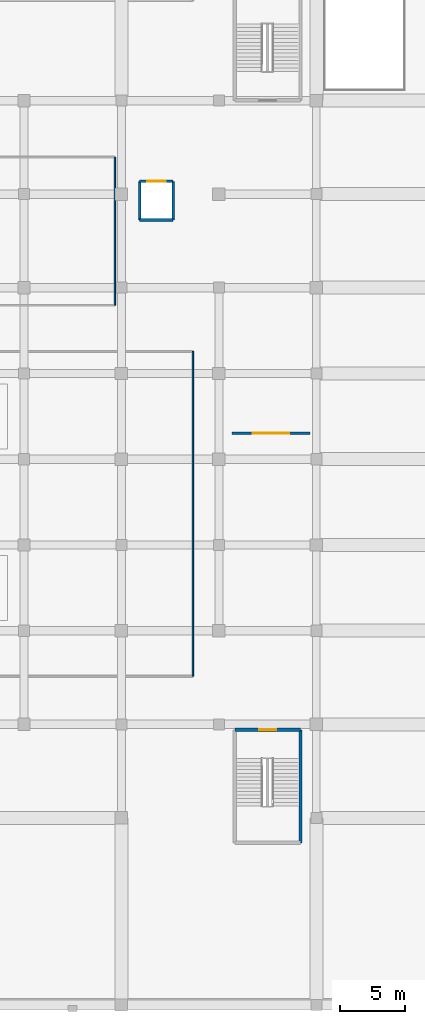
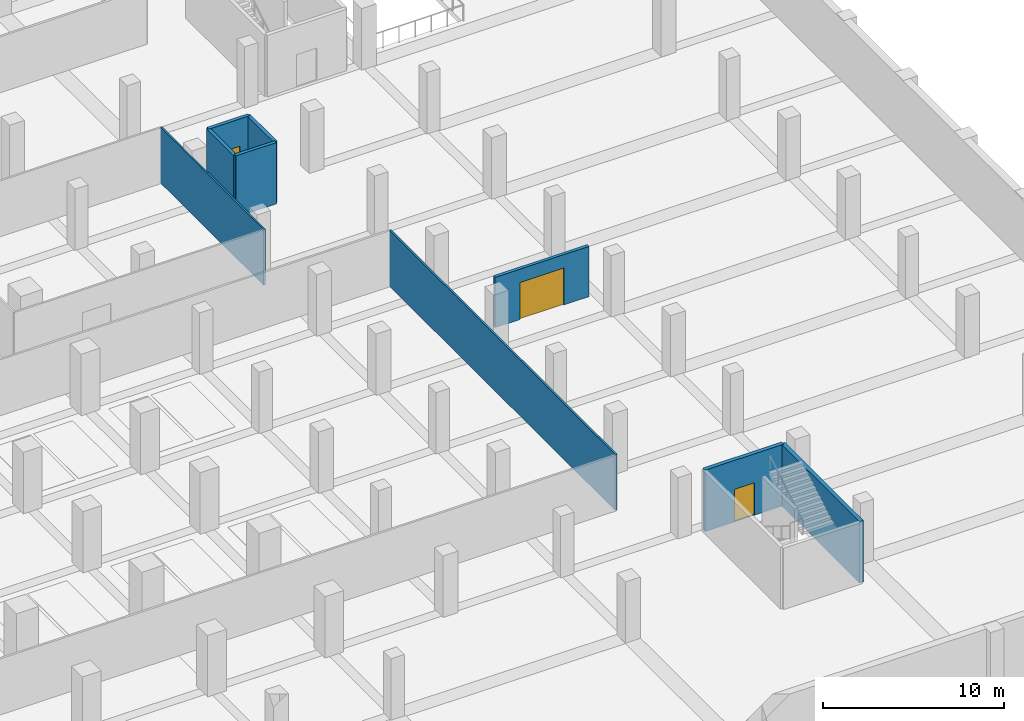
# One storey, part 16 of 25: 9 walls, 3 doors, 3 openings.
"""IFC4 building model written with IfcOpenShell, lengths in metres."""

from ifc_helpers import new_model, si_unit, direction, frame, frame_2d, origin, place, context, subcontext, project, spatial, rectangle, extrude, material, layer, layer_set, type_object, element, fill, save


model = new_model("IFC4")

# Units and contexts
model_context = context("Model", 3, precision=1e-05, world=origin(), true_north=direction((0.0, 1.0)))
body_context = subcontext(model_context, "Body", "Model", "MODEL_VIEW")
ifc_project = project(units=[si_unit("LENGTHUNIT", "METRE"), si_unit("AREAUNIT", "SQUARE_METRE"), si_unit("VOLUMEUNIT", "CUBIC_METRE"), si_unit("PLANEANGLEUNIT", "RADIAN"), si_unit("MASSUNIT", "GRAM", prefix="KILO")], contexts=[model_context])

# Site, building, storey
site_placement = place(None, origin())
site = spatial("IfcSite", under=ifc_project, at=site_placement, CompositionType="ELEMENT")
building_placement = place(site_placement, origin())
building = spatial("IfcBuilding", under=site, at=building_placement, Name="Akrevak Sports Hall", CompositionType="ELEMENT")
storey_placement = place(building_placement, frame((0.0, 0.0, -4.5)))
storey = spatial("IfcBuildingStorey", under=building, at=storey_placement, Name="B01", CompositionType="ELEMENT", Elevation=-4.5)

# Walls
ifc_material_1 = material(Name="Lightweight Office Partition", Category="gypsum")
ifc_layer_1 = layer(ifc_material_1, 0.110107421875, Name="Lightweight Office Partition")
ifc_layer_set_1 = layer_set([ifc_layer_1], Name="Lightweight Office Partition")
wall_type_1 = type_object("IfcWallType", Name="ARC-WL-PRT-110", PredefinedType="PARTITIONING", material=ifc_layer_set_1)
wall_1_placement = place(storey_placement, frame((130.0, 53.85009765625, 0.0), z_axis=(0.0, 0.0, 1.0), x_axis=(0.0, 1.0, 0.0)))
element("IfcWall", 1, at=wall_1_placement, inside=storey, type_object=wall_type_1, Name="Interior Partition Athletic Gear & Equipment Storage B01 (E)", PredefinedType="PARTITIONING", context=body_context, shape_type="SweptSolid", body=[
    extrude(rectangle(XDim=11.39990234375, YDim=0.110107421875, at=frame_2d((5.699951171875, 0.0))), origin(), (0.0, 0.0, 1.0), 3.780029296875),
])
ifc_material_2 = material(Name="Standard Metal Stud Partition", Category="gypsum")
ifc_layer_2 = layer(ifc_material_2, 0.1201171875, Name="Standard Metal Stud Partition")
ifc_layer_set_2 = layer_set([ifc_layer_2], Name="Standard Metal Stud Partition")
wall_type_2 = type_object("IfcWallType", Name="ARC-WL-PRT-120", PredefinedType="PARTITIONING", material=ifc_layer_set_2)
wall_2_placement = place(storey_placement, frame((136.0, 25.300048828125, 0.0), z_axis=(0.0, 0.0, 1.0), x_axis=(0.0, 1.0, 0.0)))
element("IfcWall", 2, at=wall_2_placement, inside=storey, type_object=wall_type_2, Name="Interior Partition Underground Car Park Hall South B01 (E)", PredefinedType="PARTITIONING", context=body_context, shape_type="SweptSolid", body=[
    extrude(rectangle(XDim=25.0, YDim=0.1201171875, at=frame_2d((12.5, 0.0))), origin(), (0.0, 0.0, 1.0), 3.780029296875),
])

# Wall, opening, door
ifc_material_3 = material(Name="Autoclaved Aerated Masonry Block", Category="masonry")
ifc_layer_3 = layer(ifc_material_3, 0.199951171875, Name="Autoclaved Aerated Masonry Block")
ifc_layer_set_3 = layer_set([ifc_layer_3], Name="Autoclaved Aerated Masonry Block")
wall_type_3 = type_object("IfcWallType", Name="ARC-WL-PRT-200", PredefinedType="PARTITIONING", material=ifc_layer_set_3)
wall_3_placement = place(storey_placement, frame((139.0, 44.0, 0.0), z_axis=(0.0, 0.0, 1.0), x_axis=(1.0, 0.0, 0.0)))
wall_3 = element("IfcWall", 3, at=wall_3_placement, inside=storey, type_object=wall_type_3, Name="Service Bay Wall B01-2", PredefinedType="PARTITIONING", context=body_context, shape_type="SweptSolid", body=[
    extrude(rectangle(XDim=6.0, YDim=0.199951171875, at=frame_2d((3.0, 0.0))), origin(), (0.0, 0.0, 1.0), 3.39990234375),
])
opening_1_placement = place(wall_3_placement, frame((1.60009765625, 0.0, 0.0)))
opening_1 = element("IfcOpeningElement", 4, at=opening_1_placement, cuts=wall_3, Name="Opening GT-03", PredefinedType="OPENING", context=body_context, shape_type="SweptSolid", body=[
    extrude(rectangle(XDim=2.800048828125, YDim=2.5, at=frame_2d((1.39990234375, 1.25))), frame((0.0, 0.11181640625, 0.0), z_axis=(0.0, -1.0, 0.0), x_axis=(1.0, 0.0, 0.0)), (0.0, 0.0, 1.0), 0.223876953125),
])
ifc_material_4 = material(Name="Galvanized Roller Shutter Steel", Category="steel")
door_type_1 = type_object("IfcDoorType", Name="ARC-DR-SRV-280x250", OperationType="ROLLINGUP", PredefinedType="GATE", material=ifc_material_4)
door_1_placement = place(opening_1_placement, origin())
door_1 = element("IfcDoor", 5, at=door_1_placement, inside=storey, type_object=door_type_1, Name="B01 Equipment Bay Roller Gate GT-06", OperationType="ROLLINGUP", OverallHeight=2.5, OverallWidth=2.800048828125, PredefinedType="GATE", context=body_context, shape_type="SweptSolid", body=[
    extrude(rectangle(XDim=2.800048828125, YDim=2.5, at=frame_2d((1.39990234375, 1.25))), frame((0.0, 0.02490234375, 0.0), z_axis=(0.0, -1.0, 0.0), x_axis=(1.0, 0.0, 0.0)), (0.0, 0.0, 1.0), 0.050048828125),
])
fill(opening_1, door_1)

# Wall
ifc_material_5 = material(Name="Concrete C50/60", Category="concrete")
ifc_layer_4 = layer(ifc_material_5, 0.219970703125, Name="Concrete C50/60")
ifc_layer_set_4 = layer_set([ifc_layer_4], Name="Concrete C50/60")
wall_type_4 = type_object("IfcWallType", Name="ARC-WL-SHAFT-220", PredefinedType="SHEAR", material=ifc_layer_set_4)
wall_4_placement = place(storey_placement, frame((131.909912109375, 60.409912109375, 0.0), z_axis=(0.0, 0.0, 1.0), x_axis=(1.0, 0.0, 0.0)))
element("IfcWall", 6, at=wall_4_placement, inside=storey, type_object=wall_type_4, Name="Lift Shaft LF-S1 Wall S (B01)", PredefinedType="SHEAR", context=body_context, shape_type="SweptSolid", body=[
    extrude(rectangle(XDim=2.580078125, YDim=0.219970703125, at=frame_2d((1.2900390625, 0.0))), origin(), (0.0, 0.0, 1.0), 4.14990234375),
])

# Wall, opening, door
wall_5_placement = place(storey_placement, frame((134.489990234375, 63.389892578125, 0.0), z_axis=(0.0, 0.0, 1.0), x_axis=(-1.0, 0.0, 0.0)))
wall_5 = element("IfcWall", 7, at=wall_5_placement, inside=storey, type_object=wall_type_4, Name="Lift Shaft LF-S1 Wall N (B01)", PredefinedType="SHEAR", context=body_context, shape_type="SweptSolid", body=[
    extrude(rectangle(XDim=2.580078125, YDim=0.219970703125, at=frame_2d((1.2900390625, 0.0))), origin(), (0.0, 0.0, 1.0), 4.14990234375),
])
opening_2_placement = place(wall_5_placement, frame((0.590087890625, 0.0, 0.0)))
opening_2 = element("IfcOpeningElement", 8, at=opening_2_placement, cuts=wall_5, Name="Opening LD-03", PredefinedType="OPENING", context=body_context, shape_type="SweptSolid", body=[
    extrude(rectangle(XDim=1.39990234375, YDim=2.300048828125, at=frame_2d((0.699951171875, 1.14990234375))), frame((0.0, 0.1220703125, 0.0), z_axis=(0.0, -1.0, 0.0), x_axis=(1.0, 0.0, 0.0)), (0.0, 0.0, 1.0), 0.243896484375),
])
ifc_material_6 = material(Name="Brushed Stainless Steel 304", Category="steel")
door_type_2 = type_object("IfcDoorType", Name="ARC-DR-LD-140x230", OperationType="SLIDING_TO_LEFT", PredefinedType="DOOR", material=ifc_material_6)
door_2_placement = place(opening_2_placement, origin())
door_2 = element("IfcDoor", 9, at=door_2_placement, inside=storey, type_object=door_type_2, Name="Lift LF-S1 Sliding Landing Door (B01)", OperationType="SLIDING_TO_RIGHT", OverallHeight=2.300048828125, OverallWidth=1.39990234375, PredefinedType="DOOR", context=body_context, shape_type="SweptSolid", body=[
    extrude(rectangle(XDim=1.39990234375, YDim=2.300048828125, at=frame_2d((0.699951171875, 1.14990234375))), frame((0.0, 0.02490234375, 0.0), z_axis=(0.0, -1.0, 0.0), x_axis=(1.0, 0.0, 0.0)), (0.0, 0.0, 1.0), 0.050048828125),
])
fill(opening_2, door_2)

# Walls
for number, where, z_axis, x_axis, name in (
    (10, (131.909912109375, 63.389892578125, 0.0), (0.0, 0.0, 1.0), (0.0, -1.0, 0.0), "Lift Shaft LF-S1 Wall W (B01)"),
    (11, (134.489990234375, 60.409912109375, 0.0), (0.0, 0.0, 1.0), (0.0, 1.0, 0.0), "Lift Shaft LF-S1 Wall E (B01)"),
):
    element("IfcWall", number, at=place(storey_placement, frame(where, z_axis=z_axis, x_axis=x_axis)), inside=storey, type_object=wall_type_4, Name=name, PredefinedType="SHEAR", context=body_context, shape_type="SweptSolid", body=[
        extrude(rectangle(XDim=2.97998046875, YDim=0.219970703125, at=frame_2d((1.489990234375, 0.0))), origin(), (0.0, 0.0, 1.0), 4.14990234375),
    ])

# Wall, opening, door
ifc_layer_5 = layer(ifc_material_5, 0.25, Name="Concrete C50/60")
ifc_layer_set_5 = layer_set([ifc_layer_5], Name="Concrete C50/60")
wall_type_5 = type_object("IfcWallType", Name="STR-WL-STAIR-250", PredefinedType="SHEAR", material=ifc_layer_set_5)
wall_6_placement = place(storey_placement, frame((144.27490234375, 21.175048828125, 0.0), z_axis=(0.0, 0.0, 1.0), x_axis=(-1.0, 0.0, 0.0)))
wall_6 = element("IfcWall", 12, at=wall_6_placement, inside=storey, type_object=wall_type_5, Name="Stair Core ST7 Shear Wall N (B01)", PredefinedType="SHEAR", context=body_context, shape_type="SweptSolid", body=[
    extrude(rectangle(XDim=5.0498046875, YDim=0.25, at=frame_2d((2.52490234375, 0.0))), origin(), (0.0, 0.0, 1.0), 4.14990234375),
])
opening_3_placement = place(wall_6_placement, frame((1.875, 0.0, 0.0)))
opening_3 = element("IfcOpeningElement", 13, at=opening_3_placement, cuts=wall_6, Name="Opening SD-01", PredefinedType="OPENING", context=body_context, shape_type="SweptSolid", body=[
    extrude(rectangle(XDim=1.300048828125, YDim=2.199951171875, at=frame_2d((0.64990234375, 1.10009765625))), frame((0.0, 0.136962890625, 0.0), z_axis=(0.0, -1.0, 0.0), x_axis=(1.0, 0.0, 0.0)), (0.0, 0.0, 1.0), 0.27392578125),
])
ifc_material_7 = material(Name="Fire-Rated Galvanized Door Steel", Category="steel")
door_type_3 = type_object("IfcDoorType", Name="ARC-DR-STAIR-130x220", OperationType="NOTDEFINED", PredefinedType="DOOR", material=ifc_material_7)
door_3_placement = place(opening_3_placement, origin())
door_3 = element("IfcDoor", 14, at=door_3_placement, inside=storey, type_object=door_type_3, Name="Exit Stair ST7 Door (B01)", OperationType="SINGLE_SWING_LEFT", OverallHeight=2.199951171875, OverallWidth=1.300048828125, PredefinedType="DOOR", context=body_context, shape_type="SweptSolid", body=[
    extrude(rectangle(XDim=1.300048828125, YDim=2.199951171875, at=frame_2d((0.64990234375, 1.10009765625))), frame((0.0, 0.02490234375, 0.0), z_axis=(0.0, -1.0, 0.0), x_axis=(1.0, 0.0, 0.0)), (0.0, 0.0, 1.0), 0.050048828125),
])
fill(opening_3, door_3)

# Wall
wall_7_placement = place(storey_placement, frame((144.27490234375, 12.47509765625, 0.0), z_axis=(0.0, 0.0, 1.0), x_axis=(0.0, 1.0, 0.0)))
element("IfcWall", 15, at=wall_7_placement, inside=storey, type_object=wall_type_5, Name="Stair Core ST7 Shear Wall E (B01)", PredefinedType="SHEAR", context=body_context, shape_type="SweptSolid", body=[
    extrude(rectangle(XDim=8.699951171875, YDim=0.25, at=frame_2d((4.35009765625, 0.0))), origin(), (0.0, 0.0, 1.0), 4.14990234375),
])

save(model, "model.ifc")
